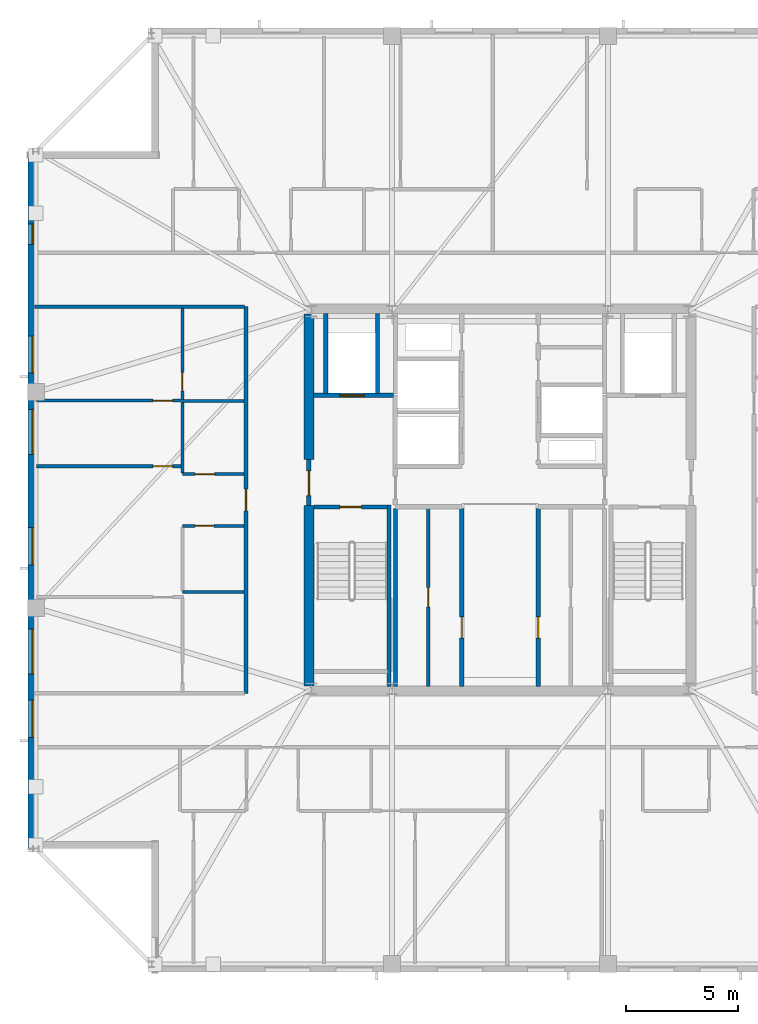
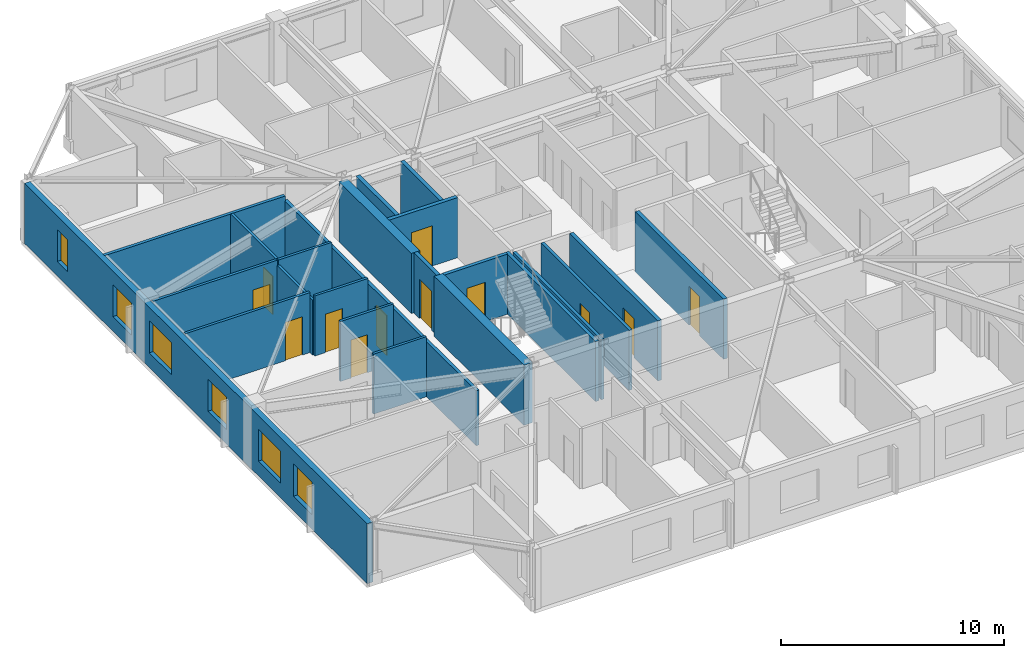
# One storey, part 8 of 16: 23 walls, 12 doors, 6 windows, 18 openings.
"""IFC4 building model written with IfcOpenShell, lengths in metres."""

from ifc_helpers import new_model, si_unit, direction, frame, frame_2d, origin, place, context, subcontext, project, spatial, rectangle, extrude, material, layer, layer_set, type_object, element, fill, save


model = new_model("IFC4")

# Units and contexts
model_context = context("Model", 3, precision=1e-05, world=origin(), true_north=direction((0.0, 1.0)))
body_context = subcontext(model_context, "Body", "Model", "MODEL_VIEW")
ifc_project = project(units=[si_unit("LENGTHUNIT", "METRE"), si_unit("AREAUNIT", "SQUARE_METRE"), si_unit("VOLUMEUNIT", "CUBIC_METRE"), si_unit("PLANEANGLEUNIT", "RADIAN"), si_unit("MASSUNIT", "GRAM", prefix="KILO")], contexts=[model_context])

# Site, building, storey
site_placement = place(None, origin())
site = spatial("IfcSite", under=ifc_project, at=site_placement, CompositionType="ELEMENT")
building_placement = place(site_placement, origin())
building = spatial("IfcBuilding", under=site, at=building_placement, Name="Cairnveth Concourse Tower", CompositionType="ELEMENT")
storey_placement = place(building_placement, frame((0.0, 0.0, 312.0)))
storey = spatial("IfcBuildingStorey", under=building, at=storey_placement, Name="L86", CompositionType="ELEMENT", Elevation=312.0)

# Wall
ifc_material_1 = material(Name="Gypsum Plasterboard Partition", Category="gypsum")
ifc_layer_1 = layer(ifc_material_1, 0.159912109375)
ifc_layer_set_1 = layer_set([ifc_layer_1], Name="Gypsum Plasterboard Partition")
wall_type_1 = type_object("IfcWallType", Name="ACOUSTIC PARTY WALL 180", PredefinedType="PARTITIONING", material=ifc_layer_set_1)
wall_1_placement = place(storey_placement, frame((47.35009765625, 30.7099609375, 0.0), z_axis=(0.0, 0.0, 1.0), x_axis=(0.0, 1.0, 0.0)))
element("IfcWall", 1, at=wall_1_placement, inside=storey, type_object=wall_type_1, Name="Interior Wall IW-L86-025", PredefinedType="PARTITIONING", context=body_context, shape_type="SweptSolid", body=[
    extrude(rectangle(XDim=7.905029296875, YDim=0.159912109375, at=frame_2d((3.95263671875, 0.0))), origin(), (0.0, 0.0, 1.0), 3.2900390625),
])

# Wall, opening, door
wall_2_placement = place(storey_placement, frame((48.800048828125, 30.7099609375, 0.0), z_axis=(0.0, 0.0, 1.0), x_axis=(0.0, 1.0, 0.0)))
wall_2 = element("IfcWall", 2, at=wall_2_placement, inside=storey, type_object=wall_type_1, Name="Interior Wall IW-L86-026", PredefinedType="PARTITIONING", context=body_context, shape_type="SweptSolid", body=[
    extrude(rectangle(XDim=7.905029296875, YDim=0.159912109375, at=frame_2d((3.95263671875, 0.0))), origin(), (0.0, 0.0, 1.0), 3.2900390625),
])
opening_1_placement = place(wall_2_placement, frame((3.5400390625, 0.0, 0.0)))
opening_1 = element("IfcOpeningElement", 3, at=opening_1_placement, cuts=wall_2, Name="Opening ID19", PredefinedType="OPENING", context=body_context, shape_type="SweptSolid", body=[
    extrude(rectangle(XDim=0.85009765625, YDim=2.1201171875, at=frame_2d((0.425048828125, 1.06005859375))), frame((0.0, 0.08984375, 0.0), z_axis=(0.0, -1.0, 0.0), x_axis=(1.0, 0.0, 0.0)), (0.0, 0.0, 1.0), 0.179931640625),
])
ifc_material_2 = material(Name="Steel Grade 350", Category="steel")
door_type_1 = type_object("IfcDoorType", Name="CORE SERVICE DOOR 850X2100", OperationType="NOTDEFINED", PredefinedType="DOOR", material=ifc_material_2)
door_1_placement = place(opening_1_placement, origin())
door_1 = element("IfcDoor", 4, at=door_1_placement, inside=storey, type_object=door_type_1, Name="Inner Store Door L86", OperationType="SINGLE_SWING_RIGHT", OverallHeight=2.1201171875, OverallWidth=0.85009765625, PredefinedType="DOOR", context=body_context, shape_type="SweptSolid", body=[
    extrude(rectangle(XDim=0.85009765625, YDim=2.1201171875, at=frame_2d((0.425048828125, 1.06005859375))), frame((0.0, 0.02490234375, 0.0), z_axis=(0.0, -1.0, 0.0), x_axis=(1.0, 0.0, 0.0)), (0.0, 0.0, 1.0), 0.050048828125),
])
fill(opening_1, door_1)

wall_3_placement = place(storey_placement, frame((40.699951171875, 30.39990234375, 0.0), z_axis=(0.0, 0.0, 1.0), x_axis=(0.0, 1.0, 0.0)))
wall_3 = element("IfcWall", 5, at=wall_3_placement, inside=storey, type_object=wall_type_1, Name="Interior Wall IW-L86-038", PredefinedType="PARTITIONING", context=body_context, shape_type="SweptSolid", body=[
    extrude(rectangle(XDim=17.2001953125, YDim=0.159912109375, at=frame_2d((8.60009765625, 0.0))), origin(), (0.0, 0.0, 1.0), 3.009033203125),
])
opening_2_placement = place(wall_3_placement, frame((8.1201171875, 0.0, 0.0)))
opening_2 = element("IfcOpeningElement", 6, at=opening_2_placement, cuts=wall_3, Name="Opening ID10", PredefinedType="OPENING", context=body_context, shape_type="SweptSolid", body=[
    extrude(rectangle(XDim=0.9599609375, YDim=2.179931640625, at=frame_2d((0.47998046875, 1.08984375))), frame((0.0, 0.08984375, 0.0), z_axis=(0.0, -1.0, 0.0), x_axis=(1.0, 0.0, 0.0)), (0.0, 0.0, 1.0), 0.179931640625),
])
ifc_material_3 = material(Name="Solid Core Hardwood Timber Leaf", Category="wood")
door_type_2 = type_object("IfcDoorType", Name="FLAT ENTRANCE DOOR 960X2150", OperationType="NOTDEFINED", PredefinedType="DOOR", material=ifc_material_3)
door_2_placement = place(opening_2_placement, origin())
door_2 = element("IfcDoor", 7, at=door_2_placement, inside=storey, type_object=door_type_2, Name="Penthouse L86PW1 Entrance Door", OperationType="SINGLE_SWING_LEFT", OverallHeight=2.179931640625, OverallWidth=0.9599609375, PredefinedType="DOOR", context=body_context, shape_type="SweptSolid", body=[
    extrude(rectangle(XDim=0.9599609375, YDim=2.179931640625, at=frame_2d((0.47998046875, 1.08984375))), frame((0.0, 0.02490234375, 0.0), z_axis=(0.0, -1.0, 0.0), x_axis=(1.0, 0.0, 0.0)), (0.0, 0.0, 1.0), 0.050048828125),
])
fill(opening_2, door_2)

# Walls
wall_4_placement = place(storey_placement, frame((31.284912109375, 47.60009765625, 0.0), z_axis=(0.0, 0.0, 1.0), x_axis=(1.0, 0.0, 0.0)))
element("IfcWall", 8, at=wall_4_placement, inside=storey, type_object=wall_type_1, Name="Interior Wall IW-L86-041", PredefinedType="PARTITIONING", context=body_context, shape_type="SweptSolid", body=[
    extrude(rectangle(XDim=9.35009765625, YDim=0.159912109375, at=frame_2d((4.675048828125, 0.0))), origin(), (0.0, 0.0, 1.0), 3.2900390625),
])
ifc_material_4 = material(Name="Concrete N65 (65 MPa)", Category="concrete")
ifc_layer_2 = layer(ifc_material_4, 0.449951171875)
ifc_layer_set_2 = layer_set([ifc_layer_2], Name="Concrete N65 (65 MPa)")
wall_type_2 = type_object("IfcWallType", Name="CORE SHEAR WALL 450", PredefinedType="SHEAR", material=ifc_layer_set_2)
wall_5_placement = place(storey_placement, frame((43.5, 30.715087890625, 0.0), z_axis=(0.0, 0.0, 1.0), x_axis=(0.0, 1.0, 0.0)))
element("IfcWall", 9, at=wall_5_placement, inside=storey, type_object=wall_type_2, Name="Core West Shear Wall S L86", PredefinedType="SHEAR", context=body_context, shape_type="SweptSolid", body=[
    extrude(rectangle(XDim=8.034912109375, YDim=0.449951171875, at=frame_2d((4.017578125, 0.0))), origin(), (0.0, 0.0, 1.0), 3.2900390625),
])
wall_6_placement = place(storey_placement, frame((43.5, 40.800048828125, 0.0), z_axis=(0.0, 0.0, 1.0), x_axis=(0.0, 1.0, 0.0)))
element("IfcWall", 10, at=wall_6_placement, inside=storey, type_object=wall_type_2, Name="Core West Shear Wall N L86", PredefinedType="SHEAR", context=body_context, shape_type="SweptSolid", body=[
    extrude(rectangle(XDim=6.48486328125, YDim=0.449951171875, at=frame_2d((3.242431640625, 0.0))), origin(), (0.0, 0.0, 1.0), 3.2900390625),
])

# Wall, opening, door
ifc_material_5 = material(Name="Concrete N50 (50 MPa)", Category="concrete")
ifc_layer_3 = layer(ifc_material_5, 0.179931640625)
ifc_layer_set_3 = layer_set([ifc_layer_3], Name="Concrete N50 (50 MPa)")
wall_type_3 = type_object("IfcWallType", Name="FIRE SHAFT WALL 180", PredefinedType="SOLIDWALL", material=ifc_layer_set_3)
wall_7_placement = place(storey_placement, frame((43.715087890625, 38.68994140625, 0.0), z_axis=(0.0, 0.0, 1.0), x_axis=(1.0, 0.0, 0.0)))
wall_7 = element("IfcWall", 11, at=wall_7_placement, inside=storey, type_object=wall_type_3, Name="Stair ST-1 Shaft Wall NEAR L86", PredefinedType="SOLIDWALL", context=body_context, shape_type="SweptSolid", body=[
    extrude(rectangle(XDim=3.280029296875, YDim=0.179931640625, at=frame_2d((1.64013671875, 0.0))), origin(), (0.0, 0.0, 1.0), 3.2900390625),
])
opening_3_placement = place(wall_7_placement, frame((1.1650390625, 0.0, 0.0)))
opening_3 = element("IfcOpeningElement", 12, at=opening_3_placement, cuts=wall_7, Name="Opening ID12", PredefinedType="OPENING", context=body_context, shape_type="SweptSolid", body=[
    extrude(rectangle(XDim=0.949951171875, YDim=2.14990234375, at=frame_2d((0.47509765625, 1.074951171875))), frame((0.0, 0.099853515625, 0.0), z_axis=(0.0, -1.0, 0.0), x_axis=(1.0, 0.0, 0.0)), (0.0, 0.0, 1.0), 0.199951171875),
])
door_type_3 = type_object("IfcDoorType", Name="FIRE STAIR DOOR 950X2150", OperationType="NOTDEFINED", PredefinedType="DOOR", material=ifc_material_2)
door_3_placement = place(opening_3_placement, origin())
door_3 = element("IfcDoor", 13, at=door_3_placement, inside=storey, type_object=door_type_3, Name="Stair ST-1 Fire Door L86", OperationType="SINGLE_SWING_LEFT", OverallHeight=2.14990234375, OverallWidth=0.949951171875, PredefinedType="DOOR", context=body_context, shape_type="SweptSolid", body=[
    extrude(rectangle(XDim=0.949951171875, YDim=2.14990234375, at=frame_2d((0.47509765625, 1.074951171875))), frame((0.0, 0.02490234375, 0.0), z_axis=(0.0, -1.0, 0.0), x_axis=(1.0, 0.0, 0.0)), (0.0, 0.0, 1.0), 0.050048828125),
])
fill(opening_3, door_3)

# Wall
wall_8_placement = place(storey_placement, frame((47.070068359375, 38.780029296875, 0.0), z_axis=(0.0, 0.0, 1.0), x_axis=(0.0, -1.0, 0.0)))
element("IfcWall", 14, at=wall_8_placement, inside=storey, type_object=wall_type_3, Name="Stair ST-1 Shaft Wall RGHT L86", PredefinedType="SOLIDWALL", context=body_context, shape_type="SweptSolid", body=[
    extrude(rectangle(XDim=8.067138671875, YDim=0.179931640625, at=frame_2d((4.03369140625, 0.0))), origin(), (0.0, 0.0, 1.0), 3.2900390625),
])

# Wall, opening, door
ifc_layer_4 = layer(ifc_material_5, 0.199951171875)
ifc_layer_set_4 = layer_set([ifc_layer_4], Name="Concrete N50 (50 MPa)")
wall_type_4 = type_object("IfcWallType", Name="FIRE SHAFT WALL 200", PredefinedType="SOLIDWALL", material=ifc_layer_set_4)
wall_9_placement = place(storey_placement, frame((50.300048828125, 30.7099609375, 0.0), z_axis=(0.0, 0.0, 1.0), x_axis=(0.0, 1.0, 0.0)))
wall_9 = element("IfcWall", 15, at=wall_9_placement, inside=storey, type_object=wall_type_4, Name="Interior Wall IW-L86-011", PredefinedType="SOLIDWALL", context=body_context, shape_type="SweptSolid", body=[
    extrude(rectangle(XDim=7.905029296875, YDim=0.199951171875, at=frame_2d((3.95263671875, 0.0))), origin(), (0.0, 0.0, 1.0), 3.2900390625),
])
opening_4_placement = place(wall_9_placement, frame((2.139892578125, 0.0, 0.0)))
opening_4 = element("IfcOpeningElement", 16, at=opening_4_placement, cuts=wall_9, Name="Opening ID25", PredefinedType="OPENING", context=body_context, shape_type="SweptSolid", body=[
    extrude(rectangle(XDim=0.949951171875, YDim=2.1201171875, at=frame_2d((0.47509765625, 1.06005859375))), frame((0.0, 0.10986328125, 0.0), z_axis=(0.0, -1.0, 0.0), x_axis=(1.0, 0.0, 0.0)), (0.0, 0.0, 1.0), 0.219970703125),
])
door_type_4 = type_object("IfcDoorType", Name="CORE ACCESSIBLE FIRE DOOR 950X2120", OperationType="NOTDEFINED", PredefinedType="DOOR", material=ifc_material_2)
door_4_placement = place(opening_4_placement, origin())
door_4 = element("IfcDoor", 17, at=door_4_placement, inside=storey, type_object=door_type_4, Name="Accessible WC Suite Door L86", OperationType="SINGLE_SWING_LEFT", OverallHeight=2.1201171875, OverallWidth=0.949951171875, PredefinedType="DOOR", context=body_context, shape_type="SweptSolid", body=[
    extrude(rectangle(XDim=0.949951171875, YDim=2.1201171875, at=frame_2d((0.47509765625, 1.06005859375))), frame((0.0, 0.02490234375, 0.0), z_axis=(0.0, -1.0, 0.0), x_axis=(1.0, 0.0, 0.0)), (0.0, 0.0, 1.0), 0.050048828125),
])
fill(opening_4, door_4)

wall_10_placement = place(storey_placement, frame((53.699951171875, 30.7099609375, 0.0), z_axis=(0.0, 0.0, 1.0), x_axis=(0.0, 1.0, 0.0)))
wall_10 = element("IfcWall", 18, at=wall_10_placement, inside=storey, type_object=wall_type_4, Name="Interior Wall IW-L86-012", PredefinedType="SOLIDWALL", context=body_context, shape_type="SweptSolid", body=[
    extrude(rectangle(XDim=7.905029296875, YDim=0.199951171875, at=frame_2d((3.95263671875, 0.0))), origin(), (0.0, 0.0, 1.0), 3.2900390625),
])
opening_5_placement = place(wall_10_placement, frame((2.139892578125, 0.0, 0.0)))
opening_5 = element("IfcOpeningElement", 19, at=opening_5_placement, cuts=wall_10, Name="Opening ID25", PredefinedType="OPENING", context=body_context, shape_type="SweptSolid", body=[
    extrude(rectangle(XDim=0.949951171875, YDim=2.1201171875, at=frame_2d((0.47509765625, 1.06005859375))), frame((0.0, 0.10986328125, 0.0), z_axis=(0.0, -1.0, 0.0), x_axis=(1.0, 0.0, 0.0)), (0.0, 0.0, 1.0), 0.219970703125),
])
door_5_placement = place(opening_5_placement, origin())
door_5 = element("IfcDoor", 20, at=door_5_placement, inside=storey, type_object=door_type_4, Name="Sky Restroom Door L86", OperationType="SINGLE_SWING_LEFT", OverallHeight=2.1201171875, OverallWidth=0.949951171875, PredefinedType="DOOR", context=body_context, shape_type="SweptSolid", body=[
    extrude(rectangle(XDim=0.949951171875, YDim=2.1201171875, at=frame_2d((0.47509765625, 1.06005859375))), frame((0.0, 0.02490234375, 0.0), z_axis=(0.0, -1.0, 0.0), x_axis=(1.0, 0.0, 0.0)), (0.0, 0.0, 1.0), 0.050048828125),
])
fill(opening_5, door_5)

wall_11_placement = place(storey_placement, frame((43.5, 38.75, 0.0), z_axis=(0.0, 0.0, 1.0), x_axis=(0.0, 1.0, 0.0)))
wall_11 = element("IfcWall", 21, at=wall_11_placement, inside=storey, type_object=wall_type_4, Name="Interior Wall IW-L86-015", PredefinedType="SOLIDWALL", context=body_context, shape_type="SweptSolid", body=[
    extrude(rectangle(XDim=2.050048828125, YDim=0.199951171875, at=frame_2d((1.02490234375, 0.0))), origin(), (0.0, 0.0, 1.0), 3.2900390625),
])
opening_6_placement = place(wall_11_placement, frame((0.449951171875, 0.0, 0.0)))
opening_6 = element("IfcOpeningElement", 22, at=opening_6_placement, cuts=wall_11, Name="Opening ID06", PredefinedType="OPENING", context=body_context, shape_type="SweptSolid", body=[
    extrude(rectangle(XDim=1.10009765625, YDim=2.14990234375, at=frame_2d((0.550048828125, 1.074951171875))), frame((0.0, 0.10986328125, 0.0), z_axis=(0.0, -1.0, 0.0), x_axis=(1.0, 0.0, 0.0)), (0.0, 0.0, 1.0), 0.219970703125),
])
door_type_5 = type_object("IfcDoorType", Name="FIRE CORRIDOR DOOR 1100X2150", OperationType="NOTDEFINED", PredefinedType="DOOR", material=ifc_material_2)
door_6_placement = place(opening_6_placement, origin())
door_6 = element("IfcDoor", 23, at=door_6_placement, inside=storey, type_object=door_type_5, Name="West Wing to FF Lobby Door L86", OperationType="SINGLE_SWING_LEFT", OverallHeight=2.14990234375, OverallWidth=1.10009765625, PredefinedType="DOOR", context=body_context, shape_type="SweptSolid", body=[
    extrude(rectangle(XDim=1.10009765625, YDim=2.14990234375, at=frame_2d((0.550048828125, 1.074951171875))), frame((0.0, 0.02490234375, 0.0), z_axis=(0.0, -1.0, 0.0), x_axis=(1.0, 0.0, 0.0)), (0.0, 0.0, 1.0), 0.050048828125),
])
fill(opening_6, door_6)

wall_12_placement = place(storey_placement, frame((43.7099609375, 43.64990234375, 0.0), z_axis=(0.0, 0.0, 1.0), x_axis=(1.0, 0.0, 0.0)))
wall_12 = element("IfcWall", 24, at=wall_12_placement, inside=storey, type_object=wall_type_4, Name="Interior Wall IW-L86-017", PredefinedType="SOLIDWALL", context=body_context, shape_type="SweptSolid", body=[
    extrude(rectangle(XDim=3.554931640625, YDim=0.199951171875, at=frame_2d((1.77734375, 0.0))), origin(), (0.0, 0.0, 1.0), 3.2900390625),
])
opening_7_placement = place(wall_12_placement, frame((1.159912109375, 0.0, 0.0)))
opening_7 = element("IfcOpeningElement", 25, at=opening_7_placement, cuts=wall_12, Name="Opening LD-1", PredefinedType="OPENING", context=body_context, shape_type="SweptSolid", body=[
    extrude(rectangle(XDim=1.10009765625, YDim=2.199951171875, at=frame_2d((0.550048828125, 1.10009765625))), frame((0.0, 0.10986328125, 0.0), z_axis=(0.0, -1.0, 0.0), x_axis=(1.0, 0.0, 0.0)), (0.0, 0.0, 1.0), 0.219970703125),
])
ifc_material_6 = material(Name="Architectural Bronze Anodised Aluminium 6063-T6", Category="aluminium")
door_type_6 = type_object("IfcDoorType", Name="LIFT LANDING DOOR 1100X2200", OperationType="SLIDING_TO_LEFT", PredefinedType="DOOR", material=ifc_material_6)
door_7_placement = place(opening_7_placement, origin())
door_7 = element("IfcDoor", 26, at=door_7_placement, inside=storey, type_object=door_type_6, Name="Lift FFL1 Landing Door L86", OperationType="SLIDING_TO_LEFT", OverallHeight=2.199951171875, OverallWidth=1.10009765625, PredefinedType="DOOR", context=body_context, shape_type="SweptSolid", body=[
    extrude(rectangle(XDim=1.10009765625, YDim=2.199951171875, at=frame_2d((0.550048828125, 1.10009765625))), frame((0.0, 0.02490234375, 0.0), z_axis=(0.0, -1.0, 0.0), x_axis=(1.0, 0.0, 0.0)), (0.0, 0.0, 1.0), 0.050048828125),
])
fill(opening_7, door_7)

# Walls
for number, where, z_axis, x_axis, name in (
    (27, (46.550048828125, 43.735107421875, 0.0), (0.0, 0.0, 1.0), (0.0, 1.0, 0.0), "Interior Wall IW-L86-018"),
    (28, (44.25, 43.735107421875, 0.0), (0.0, 0.0, 1.0), (0.0, 1.0, 0.0), "Interior Wall IW-L86-019"),
):
    element("IfcWall", number, at=place(storey_placement, frame(where, z_axis=z_axis, x_axis=x_axis)), inside=storey, type_object=wall_type_4, Name=name, PredefinedType="SOLIDWALL", context=body_context, shape_type="SweptSolid", body=[
        extrude(rectangle(XDim=3.554931640625, YDim=0.199951171875, at=frame_2d((1.77734375, 0.0))), origin(), (0.0, 0.0, 1.0), 3.2900390625),
    ])

# Wall, opening, door
ifc_layer_5 = layer(ifc_material_1, 0.139892578125)
ifc_layer_set_5 = layer_set([ifc_layer_5], Name="Gypsum Plasterboard Partition")
wall_type_5 = type_object("IfcWallType", Name="GYPSUM STUD PARTITION 140", PredefinedType="PARTITIONING", material=ifc_layer_set_5)
wall_13_placement = place(storey_placement, frame((31.3798828125, 43.419921875, 0.0), z_axis=(0.0, 0.0, 1.0), x_axis=(1.0, 0.0, 0.0)))
wall_13 = element("IfcWall", 29, at=wall_13_placement, inside=storey, type_object=wall_type_5, Name="Interior Wall IW-L86-094", PredefinedType="PARTITIONING", context=body_context, shape_type="SweptSolid", body=[
    extrude(rectangle(XDim=6.440185546875, YDim=0.139892578125, at=frame_2d((3.22021484375, 0.0))), origin(), (0.0, 0.0, 1.0), 3.2900390625),
])
opening_8_placement = place(wall_13_placement, frame((5.179931640625, 0.0, 0.0)))
opening_8 = element("IfcOpeningElement", 30, at=opening_8_placement, cuts=wall_13, Name="Opening ID18", PredefinedType="OPENING", context=body_context, shape_type="SweptSolid", body=[
    extrude(rectangle(XDim=0.8798828125, YDim=2.10009765625, at=frame_2d((0.43994140625, 1.050048828125))), frame((0.0, 0.079833984375, 0.0), z_axis=(0.0, -1.0, 0.0), x_axis=(1.0, 0.0, 0.0)), (0.0, 0.0, 1.0), 0.159912109375),
])
door_type_7 = type_object("IfcDoorType", Name="INTERIOR SINGLE DOOR 880X2100", OperationType="NOTDEFINED", PredefinedType="DOOR", material=ifc_material_3)
door_8_placement = place(opening_8_placement, origin())
door_8 = element("IfcDoor", 31, at=door_8_placement, inside=storey, type_object=door_type_7, Name="L86PW1 Bedroom 2 Door", OperationType="SINGLE_SWING_LEFT", OverallHeight=2.10009765625, OverallWidth=0.8798828125, PredefinedType="DOOR", context=body_context, shape_type="SweptSolid", body=[
    extrude(rectangle(XDim=0.8798828125, YDim=2.10009765625, at=frame_2d((0.43994140625, 1.050048828125))), frame((0.0, 0.02490234375, 0.0), z_axis=(0.0, -1.0, 0.0), x_axis=(1.0, 0.0, 0.0)), (0.0, 0.0, 1.0), 0.050048828125),
])
fill(opening_8, door_8)

wall_14_placement = place(storey_placement, frame((37.8701171875, 43.47509765625, 0.0), z_axis=(0.0, 0.0, 1.0), x_axis=(0.0, 1.0, 0.0)))
wall_14 = element("IfcWall", 32, at=wall_14_placement, inside=storey, type_object=wall_type_5, Name="Interior Wall IW-L86-095", PredefinedType="PARTITIONING", context=body_context, shape_type="SweptSolid", body=[
    extrude(rectangle(XDim=4.059814453125, YDim=0.139892578125, at=frame_2d((2.02978515625, 0.0))), origin(), (0.0, 0.0, 1.0), 3.2900390625),
])
opening_9_placement = place(wall_14_placement, frame((0.375, 0.0, 0.0)))
opening_9 = element("IfcOpeningElement", 33, at=opening_9_placement, cuts=wall_14, Name="Opening ID22", PredefinedType="OPENING", context=body_context, shape_type="SweptSolid", body=[
    extrude(rectangle(XDim=0.820068359375, YDim=2.10009765625, at=frame_2d((0.41015625, 1.050048828125))), frame((0.0, 0.079833984375, 0.0), z_axis=(0.0, -1.0, 0.0), x_axis=(1.0, 0.0, 0.0)), (0.0, 0.0, 1.0), 0.159912109375),
])
door_type_8 = type_object("IfcDoorType", Name="INTERIOR WC DOOR 820X2100", OperationType="NOTDEFINED", PredefinedType="DOOR", material=ifc_material_3)
door_9_placement = place(opening_9_placement, origin())
door_9 = element("IfcDoor", 34, at=door_9_placement, inside=storey, type_object=door_type_8, Name="L86PW1 Utility Door", OperationType="SINGLE_SWING_RIGHT", OverallHeight=2.10009765625, OverallWidth=0.820068359375, PredefinedType="DOOR", context=body_context, shape_type="SweptSolid", body=[
    extrude(rectangle(XDim=0.820068359375, YDim=2.10009765625, at=frame_2d((0.41015625, 1.050048828125))), frame((0.0, 0.02490234375, 0.0), z_axis=(0.0, -1.0, 0.0), x_axis=(1.0, 0.0, 0.0)), (0.0, 0.0, 1.0), 0.050048828125),
])
fill(opening_9, door_9)

wall_15_placement = place(storey_placement, frame((31.3798828125, 40.5, 0.0), z_axis=(0.0, 0.0, 1.0), x_axis=(1.0, 0.0, 0.0)))
wall_15 = element("IfcWall", 35, at=wall_15_placement, inside=storey, type_object=wall_type_5, Name="Interior Wall IW-L86-096", PredefinedType="PARTITIONING", context=body_context, shape_type="SweptSolid", body=[
    extrude(rectangle(XDim=6.440185546875, YDim=0.139892578125, at=frame_2d((3.22021484375, 0.0))), origin(), (0.0, 0.0, 1.0), 3.2900390625),
])
opening_10_placement = place(wall_15_placement, frame((5.179931640625, 0.0, 0.0)))
opening_10 = element("IfcOpeningElement", 36, at=opening_10_placement, cuts=wall_15, Name="Opening ID18", PredefinedType="OPENING", context=body_context, shape_type="SweptSolid", body=[
    extrude(rectangle(XDim=0.8798828125, YDim=2.10009765625, at=frame_2d((0.43994140625, 1.050048828125))), frame((0.0, 0.079833984375, 0.0), z_axis=(0.0, -1.0, 0.0), x_axis=(1.0, 0.0, 0.0)), (0.0, 0.0, 1.0), 0.159912109375),
])
door_10_placement = place(opening_10_placement, origin())
door_10 = element("IfcDoor", 37, at=door_10_placement, inside=storey, type_object=door_type_7, Name="L86PW1 Media Lounge Door", OperationType="SINGLE_SWING_RIGHT", OverallHeight=2.10009765625, OverallWidth=0.8798828125, PredefinedType="DOOR", context=body_context, shape_type="SweptSolid", body=[
    extrude(rectangle(XDim=0.8798828125, YDim=2.10009765625, at=frame_2d((0.43994140625, 1.050048828125))), frame((0.0, 0.02490234375, 0.0), z_axis=(0.0, -1.0, 0.0), x_axis=(1.0, 0.0, 0.0)), (0.0, 0.0, 1.0), 0.050048828125),
])
fill(opening_10, door_10)

# Wall
ifc_layer_6 = layer(ifc_material_1, 0.1298828125)
ifc_layer_set_6 = layer_set([ifc_layer_6], Name="Gypsum Plasterboard Partition")
wall_type_6 = type_object("IfcWallType", Name="WET AREA PARTITION 140", PredefinedType="PLUMBINGWALL", material=ifc_layer_set_6)
wall_16_placement = place(storey_placement, frame((37.8701171875, 34.89990234375, 0.0), z_axis=(0.0, 0.0, 1.0), x_axis=(1.0, 0.0, 0.0)))
element("IfcWall", 38, at=wall_16_placement, inside=storey, type_object=wall_type_6, Name="Interior Wall IW-L86-086", PredefinedType="PLUMBINGWALL", context=body_context, shape_type="SweptSolid", body=[
    extrude(rectangle(XDim=2.75, YDim=0.1298828125, at=frame_2d((1.375, 0.0))), origin(), (0.0, 0.0, 1.0), 3.2900390625),
])

# Wall, opening, door
wall_17_placement = place(storey_placement, frame((37.8701171875, 37.85009765625, 0.0), z_axis=(0.0, 0.0, 1.0), x_axis=(1.0, 0.0, 0.0)))
wall_17 = element("IfcWall", 39, at=wall_17_placement, inside=storey, type_object=wall_type_6, Name="Interior Wall IW-L86-087", PredefinedType="PLUMBINGWALL", context=body_context, shape_type="SweptSolid", body=[
    extrude(rectangle(XDim=2.75, YDim=0.1298828125, at=frame_2d((1.375, 0.0))), origin(), (0.0, 0.0, 1.0), 3.2900390625),
])
opening_11_placement = place(wall_17_placement, frame((0.550048828125, 0.0, 0.0)))
opening_11 = element("IfcOpeningElement", 40, at=opening_11_placement, cuts=wall_17, Name="Opening ID21", PredefinedType="OPENING", context=body_context, shape_type="SweptSolid", body=[
    extrude(rectangle(XDim=0.85009765625, YDim=2.080078125, at=frame_2d((0.425048828125, 1.0400390625))), frame((0.0, 0.074951171875, 0.0), z_axis=(0.0, -1.0, 0.0), x_axis=(1.0, 0.0, 0.0)), (0.0, 0.0, 1.0), 0.14990234375),
])
door_type_9 = type_object("IfcDoorType", Name="INTERIOR WC DOOR 850X2100", OperationType="NOTDEFINED", PredefinedType="DOOR", material=ifc_material_3)
door_11_placement = place(opening_11_placement, origin())
door_11 = element("IfcDoor", 41, at=door_11_placement, inside=storey, type_object=door_type_9, Name="L86PW1 Bathroom Door", OperationType="SINGLE_SWING_RIGHT", OverallHeight=2.080078125, OverallWidth=0.85009765625, PredefinedType="DOOR", context=body_context, shape_type="SweptSolid", body=[
    extrude(rectangle(XDim=0.85009765625, YDim=2.080078125, at=frame_2d((0.425048828125, 1.0400390625))), frame((0.0, 0.02490234375, 0.0), z_axis=(0.0, -1.0, 0.0), x_axis=(1.0, 0.0, 0.0)), (0.0, 0.0, 1.0), 0.050048828125),
])
fill(opening_11, door_11)

# Wall
wall_18_placement = place(storey_placement, frame((37.8701171875, 43.39990234375, 0.0), z_axis=(0.0, 0.0, 1.0), x_axis=(1.0, 0.0, 0.0)))
element("IfcWall", 42, at=wall_18_placement, inside=storey, type_object=wall_type_6, Name="Interior Wall IW-L86-089", PredefinedType="PLUMBINGWALL", context=body_context, shape_type="SweptSolid", body=[
    extrude(rectangle(XDim=2.75, YDim=0.1298828125, at=frame_2d((1.375, 0.0))), origin(), (0.0, 0.0, 1.0), 3.2900390625),
])

# Wall, opening, door
wall_19_placement = place(storey_placement, frame((37.8701171875, 40.14990234375, 0.0), z_axis=(0.0, 0.0, 1.0), x_axis=(1.0, 0.0, 0.0)))
wall_19 = element("IfcWall", 43, at=wall_19_placement, inside=storey, type_object=wall_type_6, Name="Interior Wall IW-L86-090", PredefinedType="PLUMBINGWALL", context=body_context, shape_type="SweptSolid", body=[
    extrude(rectangle(XDim=2.75, YDim=0.1298828125, at=frame_2d((1.375, 0.0))), origin(), (0.0, 0.0, 1.0), 3.2900390625),
])
opening_12_placement = place(wall_19_placement, frame((0.550048828125, 0.0, 0.0)))
opening_12 = element("IfcOpeningElement", 44, at=opening_12_placement, cuts=wall_19, Name="Opening ID18", PredefinedType="OPENING", context=body_context, shape_type="SweptSolid", body=[
    extrude(rectangle(XDim=0.8798828125, YDim=2.10009765625, at=frame_2d((0.43994140625, 1.050048828125))), frame((0.0, 0.074951171875, 0.0), z_axis=(0.0, -1.0, 0.0), x_axis=(1.0, 0.0, 0.0)), (0.0, 0.0, 1.0), 0.14990234375),
])
door_12_placement = place(opening_12_placement, origin())
door_12 = element("IfcDoor", 45, at=door_12_placement, inside=storey, type_object=door_type_7, Name="L86PW1 Kitchen Door", OperationType="SINGLE_SWING_LEFT", OverallHeight=2.10009765625, OverallWidth=0.8798828125, PredefinedType="DOOR", context=body_context, shape_type="SweptSolid", body=[
    extrude(rectangle(XDim=0.8798828125, YDim=2.10009765625, at=frame_2d((0.43994140625, 1.050048828125))), frame((0.0, 0.02490234375, 0.0), z_axis=(0.0, -1.0, 0.0), x_axis=(1.0, 0.0, 0.0)), (0.0, 0.0, 1.0), 0.050048828125),
])
fill(opening_12, door_12)

# Wall
wall_20_placement = place(storey_placement, frame((37.8701171875, 40.199951171875, 0.0), z_axis=(0.0, 0.0, 1.0), x_axis=(0.0, 1.0, 0.0)))
element("IfcWall", 46, at=wall_20_placement, inside=storey, type_object=wall_type_6, Name="Interior Wall IW-L86-091", PredefinedType="PLUMBINGWALL", context=body_context, shape_type="SweptSolid", body=[
    extrude(rectangle(XDim=3.150146484375, YDim=0.1298828125, at=frame_2d((1.5751953125, 0.0))), origin(), (0.0, 0.0, 1.0), 3.009033203125),
])

# Wall, openings, windows
ifc_material_7 = material(Name="Hawthorn Red-Ochre Fired Clay Brick Masonry", Category="masonry")
ifc_layer_7 = layer(ifc_material_7, 0.300048828125)
ifc_layer_set_7 = layer_set([ifc_layer_7], Name="Hawthorn Red-Ochre Fired Clay Brick Masonry")
wall_type_7 = type_object("IfcWallType", Name="ZONE 4 BRICK PIER SPANDREL WALL 300", PredefinedType="SOLIDWALL", material=ifc_layer_set_7)
wall_21_placement = place(storey_placement, frame((31.14990234375, 23.5, 0.0), z_axis=(0.0, 0.0, 1.0), x_axis=(0.0, 1.0, 0.0)))
wall_21 = element("IfcWall", 47, at=wall_21_placement, inside=storey, type_object=wall_type_7, Name="Exterior Wall EW-L86-S06", PredefinedType="SOLIDWALL", context=body_context, shape_type="SweptSolid", body=[
    extrude(rectangle(XDim=30.721923828125, YDim=0.300048828125, at=frame_2d((15.36083984375, 0.0))), origin(), (0.0, 0.0, 1.0), 3.2900390625),
])
opening_13_placement = place(wall_21_placement, frame((4.943603515625, 0.0, 0.800048828125)))
opening_13 = element("IfcOpeningElement", 48, at=opening_13_placement, cuts=wall_21, Name="Opening W04", PredefinedType="OPENING", context=body_context, shape_type="SweptSolid", body=[
    extrude(rectangle(XDim=1.64990234375, YDim=1.758056640625, at=frame_2d((0.824951171875, 0.87890625))), frame((0.0, 0.159912109375, 0.0), z_axis=(0.0, -1.0, 0.0), x_axis=(1.0, 0.0, 0.0)), (0.0, 0.0, 1.0), 0.320068359375),
])
opening_14_placement = place(wall_21_placement, frame((7.755615234375, 0.0, 0.800048828125)))
opening_14 = element("IfcOpeningElement", 49, at=opening_14_placement, cuts=wall_21, Name="Opening W09", PredefinedType="OPENING", context=body_context, shape_type="SweptSolid", body=[
    extrude(rectangle(XDim=2.0, YDim=1.758056640625, at=frame_2d((1.0, 0.87890625))), frame((0.0, 0.159912109375, 0.0), z_axis=(0.0, -1.0, 0.0), x_axis=(1.0, 0.0, 0.0)), (0.0, 0.0, 1.0), 0.320068359375),
])
opening_15_placement = place(wall_21_placement, frame((12.617431640625, 0.0, 0.800048828125)))
opening_15 = element("IfcOpeningElement", 50, at=opening_15_placement, cuts=wall_21, Name="Opening W04", PredefinedType="OPENING", context=body_context, shape_type="SweptSolid", body=[
    extrude(rectangle(XDim=1.64990234375, YDim=1.758056640625, at=frame_2d((0.824951171875, 0.87890625))), frame((0.0, 0.159912109375, 0.0), z_axis=(0.0, -1.0, 0.0), x_axis=(1.0, 0.0, 0.0)), (0.0, 0.0, 1.0), 0.320068359375),
])
opening_16_placement = place(wall_21_placement, frame((17.529541015625, 0.0, 0.800048828125)))
opening_16 = element("IfcOpeningElement", 51, at=opening_16_placement, cuts=wall_21, Name="Opening W09", PredefinedType="OPENING", context=body_context, shape_type="SweptSolid", body=[
    extrude(rectangle(XDim=2.0, YDim=1.758056640625, at=frame_2d((1.0, 0.87890625))), frame((0.0, 0.159912109375, 0.0), z_axis=(0.0, -1.0, 0.0), x_axis=(1.0, 0.0, 0.0)), (0.0, 0.0, 1.0), 0.320068359375),
])
opening_17_placement = place(wall_21_placement, frame((21.1416015625, 0.0, 0.800048828125)))
opening_17 = element("IfcOpeningElement", 52, at=opening_17_placement, cuts=wall_21, Name="Opening W04", PredefinedType="OPENING", context=body_context, shape_type="SweptSolid", body=[
    extrude(rectangle(XDim=1.64990234375, YDim=1.758056640625, at=frame_2d((0.824951171875, 0.87890625))), frame((0.0, 0.159912109375, 0.0), z_axis=(0.0, -1.0, 0.0), x_axis=(1.0, 0.0, 0.0)), (0.0, 0.0, 1.0), 0.320068359375),
])
opening_18_placement = place(wall_21_placement, frame((26.8701171875, 0.0, 0.800048828125)))
opening_18 = element("IfcOpeningElement", 53, at=opening_18_placement, cuts=wall_21, Name="Opening W13", PredefinedType="OPENING", context=body_context, shape_type="SweptSolid", body=[
    extrude(rectangle(XDim=0.89990234375, YDim=1.75, at=frame_2d((0.449951171875, 0.875))), frame((0.0, 0.159912109375, 0.0), z_axis=(0.0, -1.0, 0.0), x_axis=(1.0, 0.0, 0.0)), (0.0, 0.0, 1.0), 0.320068359375),
])
ifc_material_8 = material(Name="Double Glazed Low-E Clear Glass", Category="glass")
window_type_1 = type_object("IfcWindowType", Name="DEEP-SET BEDROOM LANCET WINDOW 900X1750", PartitioningType="DOUBLE_PANEL_VERTICAL", PredefinedType="WINDOW", material=ifc_material_8)
window_1_placement = place(opening_18_placement, origin())
window_1 = element("IfcWindow", 54, at=window_1_placement, inside=storey, type_object=window_type_1, Name="Dwelling Lancet Window L86-DW3", OverallHeight=1.75, OverallWidth=0.89990234375, PartitioningType="SINGLE_PANEL", PredefinedType="WINDOW", context=body_context, shape_type="SweptSolid", body=[
    extrude(rectangle(XDim=0.89990234375, YDim=1.75, at=frame_2d((0.449951171875, 0.875))), frame((0.0, -0.0400390625, 0.0), z_axis=(0.0, -1.0, 0.0), x_axis=(1.0, 0.0, 0.0)), (0.0, 0.0, 1.0), 0.06005859375),
])
fill(opening_18, window_1)
window_type_2 = type_object("IfcWindowType", Name="DEEP-SET GOTHIC LANCET WINDOW 1650X1850", PartitioningType="DOUBLE_PANEL_VERTICAL", PredefinedType="WINDOW", material=ifc_material_8)
window_2_placement = place(opening_13_placement, origin())
window_2 = element("IfcWindow", 55, at=window_2_placement, inside=storey, type_object=window_type_2, Name="Gothic Lancet Window L86-6-1", OverallHeight=1.758056640625, OverallWidth=1.64990234375, PartitioningType="SINGLE_PANEL", PredefinedType="WINDOW", context=body_context, shape_type="SweptSolid", body=[
    extrude(rectangle(XDim=1.64990234375, YDim=1.758056640625, at=frame_2d((0.824951171875, 0.87890625))), frame((0.0, -0.050048828125, 0.0), z_axis=(0.0, -1.0, 0.0), x_axis=(1.0, 0.0, 0.0)), (0.0, 0.0, 1.0), 0.06005859375),
])
fill(opening_13, window_2)
window_3_placement = place(opening_15_placement, origin())
window_3 = element("IfcWindow", 56, at=window_3_placement, inside=storey, type_object=window_type_2, Name="Gothic Lancet Window L86-6-3", OverallHeight=1.758056640625, OverallWidth=1.64990234375, PartitioningType="SINGLE_PANEL", PredefinedType="WINDOW", context=body_context, shape_type="SweptSolid", body=[
    extrude(rectangle(XDim=1.64990234375, YDim=1.758056640625, at=frame_2d((0.824951171875, 0.87890625))), frame((0.0, -0.050048828125, 0.0), z_axis=(0.0, -1.0, 0.0), x_axis=(1.0, 0.0, 0.0)), (0.0, 0.0, 1.0), 0.06005859375),
])
fill(opening_15, window_3)
window_4_placement = place(opening_17_placement, origin())
window_4 = element("IfcWindow", 57, at=window_4_placement, inside=storey, type_object=window_type_2, Name="Gothic Lancet Window L86-6-5", OverallHeight=1.758056640625, OverallWidth=1.64990234375, PartitioningType="SINGLE_PANEL", PredefinedType="WINDOW", context=body_context, shape_type="SweptSolid", body=[
    extrude(rectangle(XDim=1.64990234375, YDim=1.758056640625, at=frame_2d((0.824951171875, 0.87890625))), frame((0.0, -0.050048828125, 0.0), z_axis=(0.0, -1.0, 0.0), x_axis=(1.0, 0.0, 0.0)), (0.0, 0.0, 1.0), 0.06005859375),
])
fill(opening_17, window_4)
window_type_3 = type_object("IfcWindowType", Name="DEEP-SET PENTHOUSE LANCET WINDOW 2000X1850", PartitioningType="DOUBLE_PANEL_VERTICAL", PredefinedType="WINDOW", material=ifc_material_8)
window_5_placement = place(opening_14_placement, origin())
window_5 = element("IfcWindow", 58, at=window_5_placement, inside=storey, type_object=window_type_3, Name="Gothic Lancet Window L86-6-2", OverallHeight=1.758056640625, OverallWidth=2.0, PartitioningType="SINGLE_PANEL", PredefinedType="WINDOW", context=body_context, shape_type="SweptSolid", body=[
    extrude(rectangle(XDim=2.0, YDim=1.758056640625, at=frame_2d((1.0, 0.87890625))), frame((0.0, -0.050048828125, 0.0), z_axis=(0.0, -1.0, 0.0), x_axis=(1.0, 0.0, 0.0)), (0.0, 0.0, 1.0), 0.06005859375),
])
fill(opening_14, window_5)
window_6_placement = place(opening_16_placement, origin())
window_6 = element("IfcWindow", 59, at=window_6_placement, inside=storey, type_object=window_type_3, Name="Gothic Lancet Window L86-6-4", OverallHeight=1.758056640625, OverallWidth=2.0, PartitioningType="SINGLE_PANEL", PredefinedType="WINDOW", context=body_context, shape_type="SweptSolid", body=[
    extrude(rectangle(XDim=2.0, YDim=1.758056640625, at=frame_2d((1.0, 0.87890625))), frame((0.0, -0.050048828125, 0.0), z_axis=(0.0, -1.0, 0.0), x_axis=(1.0, 0.0, 0.0)), (0.0, 0.0, 1.0), 0.06005859375),
])
fill(opening_16, window_6)

save(model, "model.ifc")
